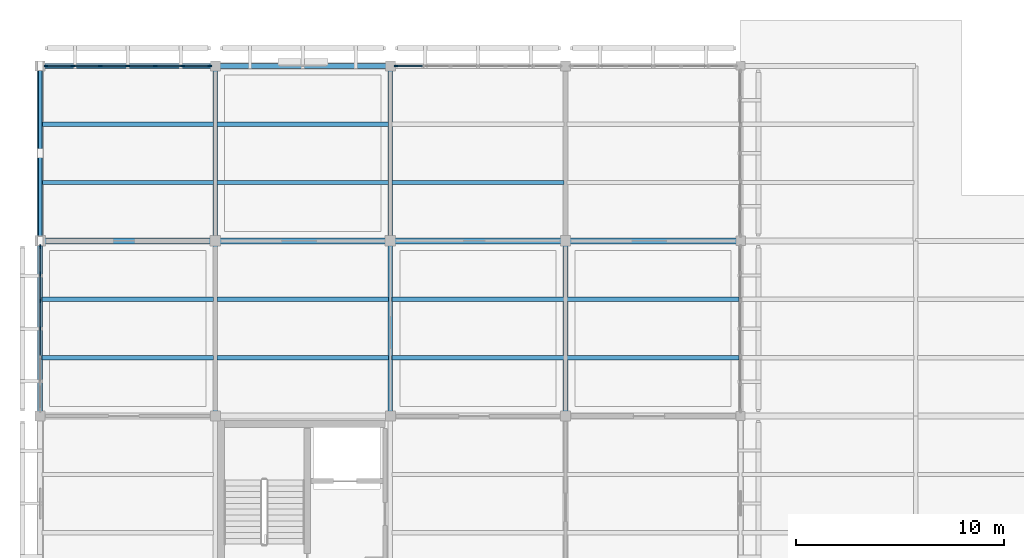
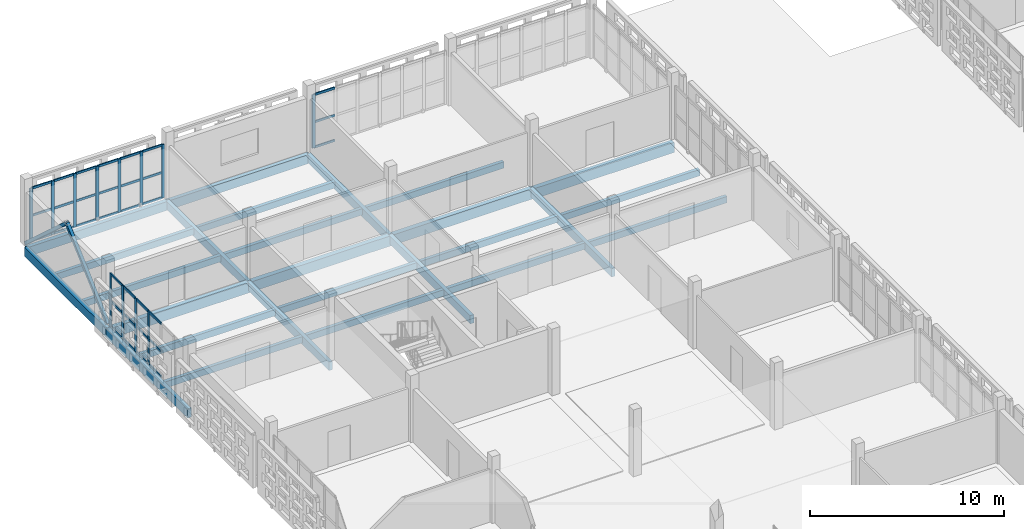
# One storey, part 38 of 166: 47 members, 26 beams, 3 elements without a shape of their own.
"""IFC4 building model written with IfcOpenShell, lengths in metres."""

import ifcopenshell
import ifcopenshell.guid

model = None  # the IFC model being written
_history = None  # IfcOwnerHistory: only IFC2X3 demands one
_inside = {}  # id of a spatial element -> (the spatial element, [elements in it])
_under = {}  # id of a project, library or spatial element -> (it, [spatial elements below it])
_declared = {}  # id of a project -> (the project, [libraries it declares])
_typed = {}  # id of a type object -> (the type object, [elements of that type])
_made_of = {}  # id of a material, layer set ... -> (it, [elements and type objects made of it])


def new_model(schema):
    """Start an empty IFC model of exactly this schema.

    Asked for "IFC4X3", IfcOpenShell would pick the latest addendum, in which some entities
    have other attributes; the version numbers below select the first issue.
    IFC2X3 requires an IfcOwnerHistory on every rooted entity: one is made here for all.
    """
    global model, _history
    if schema == "IFC4X3":
        model = ifcopenshell.file(schema_version=(4, 3, 0, 0))
    else:
        model = ifcopenshell.file(schema=schema)
    _inside.clear()
    _under.clear()
    _declared.clear()
    _typed.clear()
    _made_of.clear()
    _history = None
    if model.schema == "IFC2X3":
        org = make("IfcOrganization", Name="unknown")
        user = make(
            "IfcPersonAndOrganization",
            ThePerson=make("IfcPerson", FamilyName="unknown"),
            TheOrganization=org,
        )
        app = make(
            "IfcApplication",
            ApplicationDeveloper=org,
            Version="unknown",
            ApplicationFullName="unknown",
            ApplicationIdentifier="unknown",
        )
        _history = make(
            "IfcOwnerHistory",
            OwningUser=user,
            OwningApplication=app,
            ChangeAction="ADDED",
            CreationDate=0,
        )
    return model


def make(cls, **values):
    """One entity of the class cls with the attributes given. An attribute that is None is left unset."""
    return model.create_entity(
        cls, **{name: value for name, value in values.items() if value is not None}
    )


def rooted(cls, **values):
    """An entity with a GlobalId (a new one), such as an element, a storey or a relation."""
    return make(cls, GlobalId=ifcopenshell.guid.new(), OwnerHistory=_history, **values)


def si_unit(unit_type, name, prefix=None):
    """IfcSIUnit, for example si_unit("LENGTHUNIT", "METRE", prefix="MILLI")."""
    return make("IfcSIUnit", UnitType=unit_type, Prefix=prefix, Name=name)


def assignment(units):
    """IfcUnitAssignment: the units of a project."""
    return None if units is None else make("IfcUnitAssignment", Units=units)


def point(xyz):
    """IfcCartesianPoint."""
    return None if xyz is None else make("IfcCartesianPoint", Coordinates=xyz)


def direction(xyz):
    """IfcDirection."""
    return None if xyz is None else make("IfcDirection", DirectionRatios=xyz)


def frame(location, z_axis=None, x_axis=None):
    """IfcAxis2Placement3D, a coordinate frame: its origin and axes. An axis left out is left unset."""
    return make(
        "IfcAxis2Placement3D",
        Location=point(location),
        Axis=direction(z_axis),
        RefDirection=direction(x_axis),
    )


def frame_2d(location, x_axis=None):
    """IfcAxis2Placement2D, a coordinate frame in the plane: its origin and x axis."""
    return make(
        "IfcAxis2Placement2D", Location=point(location), RefDirection=direction(x_axis)
    )


def origin():
    """The frame at (0, 0, 0) with its axes left unset."""
    return frame((0.0, 0.0, 0.0))


def origin_2d():
    """The frame at (0, 0) in the plane with its x axis left unset."""
    return frame_2d((0.0, 0.0))


def place(relative_to, where):
    """IfcLocalPlacement: puts the frame where relative to a parent placement (None: the world)."""
    return make(
        "IfcLocalPlacement", PlacementRelTo=relative_to, RelativePlacement=where
    )


def context(
    kind, dimensions, precision=None, world=None, true_north=None, identifier=None
):
    """IfcGeometricRepresentationContext, for example the 3D "Model" context."""
    return make(
        "IfcGeometricRepresentationContext",
        ContextIdentifier=identifier,
        ContextType=kind,
        CoordinateSpaceDimension=dimensions,
        Precision=precision,
        WorldCoordinateSystem=world,
        TrueNorth=true_north,
    )


def subcontext(parent, identifier, kind, view, scale=None):
    """IfcGeometricRepresentationSubContext, for example "Body" below "Model"."""
    return make(
        "IfcGeometricRepresentationSubContext",
        ContextIdentifier=identifier,
        ContextType=kind,
        ParentContext=parent,
        TargetScale=scale,
        TargetView=view,
    )


def project(units=None, contexts=None):
    """IfcProject with its units and contexts."""
    return rooted(
        "IfcProject",
        Name="project",
        RepresentationContexts=contexts,
        UnitsInContext=assignment(units),
    )


def spatial(cls, under=None, at=None, **own):
    """A site, building, storey or space (cls), placed at a placement, below another one or the project."""
    s = rooted(cls, ObjectPlacement=at, **own)
    if under is not None:
        _under.setdefault(under.id(), (under, []))[1].append(s)
    return s


def profile(cls, at=None, kind="AREA", **sizes):
    """A parametric profile (cls). Its sizes go by their IFC names, for example OverallWidth=200.0."""
    return make(cls, ProfileType=kind, Position=at, **sizes)


def rectangle(**sizes):
    """IfcRectangleProfileDef."""
    return profile("IfcRectangleProfileDef", **sizes)


def hollow_rectangle(**sizes):
    """IfcRectangleHollowProfileDef."""
    return profile("IfcRectangleHollowProfileDef", **sizes)


def extrude(swept, where, along, depth):
    """IfcExtrudedAreaSolid: the profile swept, set in the frame where, extruded along a direction by depth."""
    return make(
        "IfcExtrudedAreaSolid",
        SweptArea=swept,
        Position=where,
        ExtrudedDirection=direction(along),
        Depth=depth,
    )


def shape(context_of_items, identifier, shape_type, items):
    """IfcShapeRepresentation: the items that make up one representation, for example the "Body"."""
    return make(
        "IfcShapeRepresentation",
        ContextOfItems=context_of_items,
        RepresentationIdentifier=identifier,
        RepresentationType=shape_type,
        Items=items,
    )


def material(Name=None, Category=None):
    """IfcMaterial."""
    return make("IfcMaterial", Name=Name, Category=Category)


def layer(
    of_material, thickness, ventilated=None, Name=None, Category=None, Priority=None
):
    """IfcMaterialLayer: one layer of a wall or slab, of a material (None: an air gap)."""
    return make(
        "IfcMaterialLayer",
        Material=of_material,
        LayerThickness=thickness,
        IsVentilated=ventilated,
        Name=Name,
        Category=Category,
        Priority=Priority,
    )


def layer_set(layers, Name=None):
    """IfcMaterialLayerSet."""
    return make("IfcMaterialLayerSet", MaterialLayers=layers, LayerSetName=Name)


def material_profile(
    of_material, cross_section, Name=None, Category=None, Priority=None
):
    """IfcMaterialProfile: a cross section and its material."""
    return make(
        "IfcMaterialProfile",
        Name=Name,
        Material=of_material,
        Profile=cross_section,
        Priority=Priority,
        Category=Category,
    )


def profile_set(profiles, Name=None, composite=None):
    """IfcMaterialProfileSet."""
    return make(
        "IfcMaterialProfileSet",
        Name=Name,
        MaterialProfiles=profiles,
        CompositeProfile=composite,
    )


def made_of(thing, what):
    """Note that an element or type object is made of a material, layer set ...; save() writes the relation."""
    if what is not None:
        _made_of.setdefault(what.id(), (what, []))[1].append(thing)
    return thing


def type_object(cls, material=None, **own):
    """A type object (cls), such as IfcWallType, which elements share."""
    return made_of(rooted(cls, **own), material)


def element(
    cls,
    number,
    at=None,
    inside=None,
    cuts=None,
    type_object=None,
    material=None,
    context=None,
    identifier="Body",
    shape_type=None,
    held_by="IfcProductDefinitionShape",
    body=None,
    shapes=None,
    **own,
):
    """One element of the class cls, such as IfcWall. Its Tag is "e" and its number.

    at: its placement. inside: the storey or other place that contains it. cuts: it is an
    opening in that element (IfcRelVoidsElement). A single representation is given by context,
    identifier, shape_type and body (its items); several are given by shapes. held_by: the class
    of the entity that holds the representations. save() writes the other relations.
    """
    e = rooted(cls, Tag="e%d" % number, ObjectPlacement=at, **own)
    if body is not None:
        shapes = [shape(context, identifier, shape_type, body)]
    if shapes is not None:
        e.Representation = make(held_by, Representations=shapes)
    if inside is not None:
        _inside.setdefault(inside.id(), (inside, []))[1].append(e)
    if cuts is not None:
        rooted(
            "IfcRelVoidsElement", RelatingBuildingElement=cuts, RelatedOpeningElement=e
        )
    if type_object is not None:
        _typed.setdefault(type_object.id(), (type_object, []))[1].append(e)
    return made_of(e, material)


def aggregate(whole, parts):
    """IfcRelAggregates: a whole, such as a stair, and the parts it consists of."""
    return rooted("IfcRelAggregates", RelatingObject=whole, RelatedObjects=parts)


def save(model, path):
    """Write the relations noted so far, then the file.

    IfcRelAggregates (storeys below a building ...), IfcRelContainedInSpatialStructure (elements
    in a storey), IfcRelDefinesByType, IfcRelAssociatesMaterial and IfcRelDeclares: one each for
    every whole, place, type object, material and project.
    """
    for whole, parts in _under.values():
        aggregate(whole, parts)
    for where, things in _inside.values():
        rooted(
            "IfcRelContainedInSpatialStructure",
            RelatedElements=things,
            RelatingStructure=where,
        )
    for kind, things in _typed.values():
        rooted("IfcRelDefinesByType", RelatedObjects=things, RelatingType=kind)
    for what, things in _made_of.values():
        rooted("IfcRelAssociatesMaterial", RelatedObjects=things, RelatingMaterial=what)
    for by, libraries in _declared.values():
        rooted("IfcRelDeclares", RelatingContext=by, RelatedDefinitions=libraries)
    model.write(path)


model = new_model("IFC4")

# Units and contexts
model_context = context("Model", 3, precision=1e-05, world=origin(), true_north=direction((0.0, 1.0)))
body_context = subcontext(model_context, "Body", "Model", "MODEL_VIEW")
ifc_project = project(units=[si_unit("LENGTHUNIT", "METRE"), si_unit("AREAUNIT", "SQUARE_METRE"), si_unit("VOLUMEUNIT", "CUBIC_METRE"), si_unit("PLANEANGLEUNIT", "RADIAN"), si_unit("MASSUNIT", "GRAM", prefix="KILO")], contexts=[model_context])

# Site, building, storey
site_placement = place(None, origin())
site = spatial("IfcSite", under=ifc_project, at=site_placement, CompositionType="ELEMENT")
building_placement = place(site_placement, origin())
building = spatial("IfcBuilding", under=site, at=building_placement, Name="Varnapada Polytechnic", CompositionType="ELEMENT")
storey_placement = place(building_placement, frame((0.0, 0.0, 9.60009765625)))
storey = spatial("IfcBuildingStorey", under=building, at=storey_placement, Name="L02", CompositionType="ELEMENT", Elevation=9.60009765625)

# Beams
ifc_material_1 = material(Name="Glulam GL32h", Category="wood")
ifc_material_profile_1 = material_profile(ifc_material_1, rectangle(XDim=0.280029296875, YDim=0.639892578125, at=origin_2d()), Name="GL 280x640")
ifc_profile_set_1 = profile_set([ifc_material_profile_1], Name="Glulam GL32h")
beam_type_1 = type_object("IfcBeamType", Name="Laboratory primary glulam girder GG-02 (GL 280x640)", PredefinedType="BEAM", material=ifc_profile_set_1)
beam_1_placement = place(storey_placement, frame((0.0, 117.60009765625, -0.56005859375), z_axis=(1.0, 0.0, 0.0), x_axis=(0.0, 1.0, 0.0)))
element("IfcBeam", 1, at=beam_1_placement, inside=storey, type_object=beam_type_1, Name="L02 beam X 1-2 at Y15", PredefinedType="BEAM", context=body_context, shape_type="SweptSolid", body=[
    extrude(rectangle(XDim=0.280029296875, YDim=0.639892578125, at=origin_2d()), origin(), (0.0, 0.0, 1.0), 8.39990234375),
])
beam_2_placement = place(storey_placement, frame((8.39990234375, 117.60009765625, -0.56005859375), z_axis=(1.0, 0.0, 0.0), x_axis=(0.0, 1.0, 0.0)))
element("IfcBeam", 2, at=beam_2_placement, inside=storey, type_object=beam_type_1, Name="L02 beam X 2-3 at Y15", PredefinedType="BEAM", context=body_context, shape_type="SweptSolid", body=[
    extrude(rectangle(XDim=0.280029296875, YDim=0.639892578125, at=origin_2d()), origin(), (0.0, 0.0, 1.0), 8.400146484375),
])
beam_3_placement = place(storey_placement, frame((16.800048828125, 117.60009765625, -0.56005859375), z_axis=(1.0, 0.0, 0.0), x_axis=(0.0, 1.0, 0.0)))
element("IfcBeam", 3, at=beam_3_placement, inside=storey, type_object=beam_type_1, Name="L02 beam X 3-4 at Y15", PredefinedType="BEAM", context=body_context, shape_type="SweptSolid", body=[
    extrude(rectangle(XDim=0.280029296875, YDim=0.639892578125, at=origin_2d()), origin(), (0.0, 0.0, 1.0), 8.39990234375),
])
beam_4_placement = place(storey_placement, frame((25.199951171875, 117.60009765625, -0.590087890625), z_axis=(1.0, 0.0, 0.0), x_axis=(0.0, 1.0, 0.0)))
element("IfcBeam", 4, at=beam_4_placement, inside=storey, type_object=beam_type_1, Name="L02 beam X 4-5 at Y15", PredefinedType="BEAM", context=body_context, shape_type="SweptSolid", body=[
    extrude(rectangle(XDim=0.280029296875, YDim=0.639892578125, at=origin_2d()), origin(), (0.0, 0.0, 1.0), 8.400146484375),
])
ifc_material_profile_2 = material_profile(ifc_material_1, rectangle(XDim=0.219970703125, YDim=0.52001953125, at=origin_2d()), Name="GL 220x520")
ifc_profile_set_2 = profile_set([ifc_material_profile_2], Name="Glulam GL32h")
beam_type_2 = type_object("IfcBeamType", Name="Laboratory transverse glulam beam GB-12 (GL 220x520)", PredefinedType="BEAM", material=ifc_profile_set_2)
beam_5_placement = place(storey_placement, frame((8.39990234375, 109.199951171875, -0.5), z_axis=(0.0, 1.0, 0.0), x_axis=(-1.0, 0.0, 0.0)))
element("IfcBeam", 5, at=beam_5_placement, inside=storey, type_object=beam_type_2, Name="L02 beam Y 14-15 at X2", PredefinedType="BEAM", context=body_context, shape_type="SweptSolid", body=[
    extrude(rectangle(XDim=0.219970703125, YDim=0.52001953125, at=origin_2d()), origin(), (0.0, 0.0, 1.0), 8.400146484375),
])
beam_6_placement = place(storey_placement, frame((8.39990234375, 117.60009765625, -0.5), z_axis=(0.0, 1.0, 0.0), x_axis=(-1.0, 0.0, 0.0)))
element("IfcBeam", 6, at=beam_6_placement, inside=storey, type_object=beam_type_2, Name="L02 beam Y 15-16 at X2", PredefinedType="BEAM", context=body_context, shape_type="SweptSolid", body=[
    extrude(rectangle(XDim=0.219970703125, YDim=0.52001953125, at=origin_2d()), origin(), (0.0, 0.0, 1.0), 8.39990234375),
])
beam_7_placement = place(storey_placement, frame((16.800048828125, 109.199951171875, -0.5), z_axis=(0.0, 1.0, 0.0), x_axis=(-1.0, 0.0, 0.0)))
element("IfcBeam", 7, at=beam_7_placement, inside=storey, type_object=beam_type_2, Name="L02 beam Y 14-15 at X3", PredefinedType="BEAM", context=body_context, shape_type="SweptSolid", body=[
    extrude(rectangle(XDim=0.219970703125, YDim=0.52001953125, at=origin_2d()), origin(), (0.0, 0.0, 1.0), 8.400146484375),
])
beam_8_placement = place(storey_placement, frame((16.800048828125, 117.60009765625, -0.5), z_axis=(0.0, 1.0, 0.0), x_axis=(-1.0, 0.0, 0.0)))
element("IfcBeam", 8, at=beam_8_placement, inside=storey, type_object=beam_type_2, Name="L02 beam Y 15-16 at X3", PredefinedType="BEAM", context=body_context, shape_type="SweptSolid", body=[
    extrude(rectangle(XDim=0.219970703125, YDim=0.52001953125, at=origin_2d()), origin(), (0.0, 0.0, 1.0), 8.39990234375),
])
beam_9_placement = place(storey_placement, frame((25.199951171875, 109.199951171875, -0.5), z_axis=(0.0, 1.0, 0.0), x_axis=(-1.0, 0.0, 0.0)))
element("IfcBeam", 9, at=beam_9_placement, inside=storey, type_object=beam_type_2, Name="L02 beam Y 14-15 at X4", PredefinedType="BEAM", context=body_context, shape_type="SweptSolid", body=[
    extrude(rectangle(XDim=0.219970703125, YDim=0.52001953125, at=origin_2d()), origin(), (0.0, 0.0, 1.0), 8.400146484375),
])
ifc_material_profile_3 = material_profile(ifc_material_1, rectangle(XDim=0.199951171875, YDim=0.39990234375, at=origin_2d()), Name="GL 200x400")
ifc_profile_set_3 = profile_set([ifc_material_profile_3], Name="Glulam GL32h")
beam_type_3 = type_object("IfcBeamType", Name="Library/laboratory glulam floor joist GJ-01 (GL 200x400)", PredefinedType="JOIST", material=ifc_profile_set_3)
for number, where, z_axis, x_axis, name in (
    (10, (0.080078125, 112.0, -0.440185546875), (1.0, 0.0, 0.0), (0.0, 1.0, 0.0), "L02 floor joist 1/14.1"),
    (11, (0.080078125, 114.800048828125, -0.440185546875), (1.0, 0.0, 0.0), (0.0, 1.0, 0.0), "L02 floor joist 1/14.2"),
    (12, (0.080078125, 120.39990234375, -0.440185546875), (1.0, 0.0, 0.0), (0.0, 1.0, 0.0), "L02 floor joist 1/15.1"),
    (13, (0.080078125, 123.199951171875, -0.440185546875), (1.0, 0.0, 0.0), (0.0, 1.0, 0.0), "L02 floor joist 1/15.2"),
    (14, (8.47998046875, 112.0, -0.440185546875), (1.0, 0.0, 0.0), (0.0, 1.0, 0.0), "L02 floor joist 2/14.1"),
    (15, (8.47998046875, 114.800048828125, -0.440185546875), (1.0, 0.0, 0.0), (0.0, 1.0, 0.0), "L02 floor joist 2/14.2"),
    (16, (8.47998046875, 120.39990234375, -0.440185546875), (1.0, 0.0, 0.0), (0.0, 1.0, 0.0), "L02 floor joist 2/15.1"),
    (17, (8.47998046875, 123.199951171875, -0.440185546875), (1.0, 0.0, 0.0), (0.0, 1.0, 0.0), "L02 floor joist 2/15.2"),
):
    element("IfcBeam", number, at=place(storey_placement, frame(where, z_axis=z_axis, x_axis=x_axis)), inside=storey, type_object=beam_type_3, Name=name, PredefinedType="JOIST", context=body_context, shape_type="SweptSolid", body=[
        extrude(rectangle(XDim=0.199951171875, YDim=0.39990234375, at=origin_2d()), origin(), (0.0, 0.0, 1.0), 8.239990234375),
    ])
for number, where, z_axis, x_axis, name in (
    (18, (16.8798828125, 112.0, -0.440185546875), (1.0, 0.0, 0.0), (0.0, 1.0, 0.0), "L02 floor joist 3/14.1"),
    (19, (16.8798828125, 114.800048828125, -0.440185546875), (1.0, 0.0, 0.0), (0.0, 1.0, 0.0), "L02 floor joist 3/14.2"),
    (20, (16.8798828125, 120.39990234375, -0.440185546875), (1.0, 0.0, 0.0), (0.0, 1.0, 0.0), "L02 floor joist 3/15.1"),
):
    element("IfcBeam", number, at=place(storey_placement, frame(where, z_axis=z_axis, x_axis=x_axis)), inside=storey, type_object=beam_type_3, Name=name, PredefinedType="JOIST", context=body_context, shape_type="SweptSolid", body=[
        extrude(rectangle(XDim=0.199951171875, YDim=0.39990234375, at=origin_2d()), origin(), (0.0, 0.0, 1.0), 8.240234375),
    ])
for number, where, z_axis, x_axis, name in (
    (21, (25.280029296875, 112.0, -0.47021484375), (1.0, 0.0, 0.0), (0.0, 1.0, 0.0), "L02 floor joist 4/14.1"),
    (22, (25.280029296875, 114.800048828125, -0.47021484375), (1.0, 0.0, 0.0), (0.0, 1.0, 0.0), "L02 floor joist 4/14.2"),
):
    element("IfcBeam", number, at=place(storey_placement, frame(where, z_axis=z_axis, x_axis=x_axis)), inside=storey, type_object=beam_type_3, Name=name, PredefinedType="JOIST", context=body_context, shape_type="SweptSolid", body=[
        extrude(rectangle(XDim=0.199951171875, YDim=0.39990234375, at=origin_2d()), origin(), (0.0, 0.0, 1.0), 8.239990234375),
    ])

# Curtain wall, members
ifc_material_2 = material(Name="Double low-E laminated glass", Category="glass")
ifc_layer = layer(ifc_material_2, 0.179931640625)
ifc_layer_set = layer_set([ifc_layer], Name="Double low-E laminated glass")
curtain_wall_type = type_object("IfcCurtainWallType", Name="Curtain Wall CW-03", PredefinedType="NOTDEFINED", material=ifc_layer_set)
curtain_wall_1_placement = place(storey_placement, origin())
curtain_wall_1 = element("IfcCurtainWall", 23, at=curtain_wall_1_placement, inside=storey, type_object=curtain_wall_type, Name="L02 unitised curtain wall CW-03 (134)", PredefinedType="NOTDEFINED")
ifc_material_3 = material(Name="Anodised aluminium", Category="aluminium")
ifc_material_profile_4 = material_profile(ifc_material_3, rectangle(XDim=0.06494140625, YDim=0.179931640625, at=origin_2d()), Name="ALU M65x180")
ifc_profile_set_4 = profile_set([ifc_material_profile_4], Name="Anodised aluminium")
member_type_1 = type_object("IfcMemberType", Name="Mullion M-02", PredefinedType="MULLION", material=ifc_profile_set_4)
member_1_placement = place(storey_placement, frame((0.0, 113.39501953125, 0.0), z_axis=(0.0, 0.0, 1.0), x_axis=(-1.0, 0.0, 0.0)))
member_1 = element("IfcMember", 24, at=member_1_placement, type_object=member_type_1, Name="CW-03 mullion 4", PredefinedType="MULLION", context=body_context, shape_type="SweptSolid", body=[
    extrude(rectangle(XDim=0.06494140625, YDim=0.179931640625, at=origin_2d()), origin(), (0.0, 0.0, 1.0), 3.35986328125),
])
member_2_placement = place(storey_placement, frame((0.0, 114.71337890625, 0.0), z_axis=(0.0, 0.0, 1.0), x_axis=(-1.0, 0.0, 0.0)))
member_2 = element("IfcMember", 25, at=member_2_placement, type_object=member_type_1, Name="CW-03 mullion 5", PredefinedType="MULLION", context=body_context, shape_type="SweptSolid", body=[
    extrude(rectangle(XDim=0.06494140625, YDim=0.179931640625, at=origin_2d()), origin(), (0.0, 0.0, 1.0), 3.35986328125),
])
member_3_placement = place(storey_placement, frame((0.0, 116.03173828125, 0.0), z_axis=(0.0, 0.0, 1.0), x_axis=(-1.0, 0.0, 0.0)))
member_3 = element("IfcMember", 26, at=member_3_placement, type_object=member_type_1, Name="CW-03 mullion 6", PredefinedType="MULLION", context=body_context, shape_type="SweptSolid", body=[
    extrude(rectangle(XDim=0.06494140625, YDim=0.179931640625, at=origin_2d()), origin(), (0.0, 0.0, 1.0), 3.35986328125),
])
member_4_placement = place(storey_placement, frame((0.0, 117.3173828125, 0.0), z_axis=(0.0, 0.0, 1.0), x_axis=(-1.0, 0.0, 0.0)))
member_4 = element("IfcMember", 27, at=member_4_placement, type_object=member_type_1, Name="CW-03 mullion 7", PredefinedType="MULLION", context=body_context, shape_type="SweptSolid", body=[
    extrude(rectangle(XDim=0.06494140625, YDim=0.179931640625, at=origin_2d()), origin(), (0.0, 0.0, 1.0), 3.35986328125),
])

curtain_wall_2_placement = place(storey_placement, origin())
curtain_wall_2 = element("IfcCurtainWall", 28, at=curtain_wall_2_placement, inside=storey, type_object=curtain_wall_type, Name="L02 unitised curtain wall CW-03 (135)", PredefinedType="NOTDEFINED")
member_5_placement = place(storey_placement, frame((0.2724609375, 126.0, 0.0), z_axis=(0.0, 0.0, 1.0), x_axis=(0.0, 1.0, 0.0)))
member_5 = element("IfcMember", 29, at=member_5_placement, type_object=member_type_1, Name="CW-03 mullion 1", PredefinedType="MULLION", context=body_context, shape_type="SweptSolid", body=[
    extrude(rectangle(XDim=0.06494140625, YDim=0.179931640625, at=origin_2d()), origin(), (0.0, 0.0, 1.0), 3.35986328125),
])
member_6_placement = place(storey_placement, frame((1.56005859375, 126.0, 0.0), z_axis=(0.0, 0.0, 1.0), x_axis=(0.0, 1.0, 0.0)))
member_6 = element("IfcMember", 30, at=member_6_placement, type_object=member_type_1, Name="CW-03 mullion 2", PredefinedType="MULLION", context=body_context, shape_type="SweptSolid", body=[
    extrude(rectangle(XDim=0.06494140625, YDim=0.179931640625, at=origin_2d()), origin(), (0.0, 0.0, 1.0), 3.35986328125),
])
member_7_placement = place(storey_placement, frame((2.8798828125, 126.0, 0.0), z_axis=(0.0, 0.0, 1.0), x_axis=(0.0, 1.0, 0.0)))
member_7 = element("IfcMember", 31, at=member_7_placement, type_object=member_type_1, Name="CW-03 mullion 3", PredefinedType="MULLION", context=body_context, shape_type="SweptSolid", body=[
    extrude(rectangle(XDim=0.06494140625, YDim=0.179931640625, at=origin_2d()), origin(), (0.0, 0.0, 1.0), 3.35986328125),
])
member_8_placement = place(storey_placement, frame((4.199951171875, 126.0, 0.0), z_axis=(0.0, 0.0, 1.0), x_axis=(0.0, 1.0, 0.0)))
member_8 = element("IfcMember", 32, at=member_8_placement, type_object=member_type_1, Name="CW-03 mullion 4", PredefinedType="MULLION", context=body_context, shape_type="SweptSolid", body=[
    extrude(rectangle(XDim=0.06494140625, YDim=0.179931640625, at=origin_2d()), origin(), (0.0, 0.0, 1.0), 3.35986328125),
])
member_9_placement = place(storey_placement, frame((5.52001953125, 126.0, 0.0), z_axis=(0.0, 0.0, 1.0), x_axis=(0.0, 1.0, 0.0)))
member_9 = element("IfcMember", 33, at=member_9_placement, type_object=member_type_1, Name="CW-03 mullion 5", PredefinedType="MULLION", context=body_context, shape_type="SweptSolid", body=[
    extrude(rectangle(XDim=0.06494140625, YDim=0.179931640625, at=origin_2d()), origin(), (0.0, 0.0, 1.0), 3.35986328125),
])
member_10_placement = place(storey_placement, frame((6.840087890625, 126.0, 0.0), z_axis=(0.0, 0.0, 1.0), x_axis=(0.0, 1.0, 0.0)))
member_10 = element("IfcMember", 34, at=member_10_placement, type_object=member_type_1, Name="CW-03 mullion 6", PredefinedType="MULLION", context=body_context, shape_type="SweptSolid", body=[
    extrude(rectangle(XDim=0.06494140625, YDim=0.179931640625, at=origin_2d()), origin(), (0.0, 0.0, 1.0), 3.35986328125),
])
member_11_placement = place(storey_placement, frame((8.12744140625, 126.0, 0.0), z_axis=(0.0, 0.0, 1.0), x_axis=(0.0, 1.0, 0.0)))
member_11 = element("IfcMember", 35, at=member_11_placement, type_object=member_type_1, Name="CW-03 mullion 7", PredefinedType="MULLION", context=body_context, shape_type="SweptSolid", body=[
    extrude(rectangle(XDim=0.06494140625, YDim=0.179931640625, at=origin_2d()), origin(), (0.0, 0.0, 1.0), 3.35986328125),
])

# Curtain wall, member
curtain_wall_3_placement = place(storey_placement, origin())
curtain_wall_3 = element("IfcCurtainWall", 36, at=curtain_wall_3_placement, inside=storey, type_object=curtain_wall_type, Name="L02 unitised curtain wall CW-03 (142)", PredefinedType="NOTDEFINED")
member_12_placement = place(storey_placement, frame((17.072509765625, 126.0, 0.0), z_axis=(0.0, 0.0, 1.0), x_axis=(0.0, 1.0, 0.0)))
member_12 = element("IfcMember", 37, at=member_12_placement, type_object=member_type_1, Name="CW-03 mullion 1", PredefinedType="MULLION", context=body_context, shape_type="SweptSolid", body=[
    extrude(rectangle(XDim=0.06494140625, YDim=0.179931640625, at=origin_2d()), origin(), (0.0, 0.0, 1.0), 3.35986328125),
])

# Beams
ifc_material_profile_5 = material_profile(ifc_material_1, rectangle(XDim=0.239990234375, YDim=0.56005859375, at=origin_2d()), Name="GL 240x560")
ifc_profile_set_5 = profile_set([ifc_material_profile_5], Name="Glulam GL32h")
beam_type_4 = type_object("IfcBeamType", Name="Perimeter glulam spandrel beam SP-02 (GL 240x560)", PredefinedType="SPANDREL", material=ifc_profile_set_5)
beam_10_placement = place(storey_placement, frame((0.0, 126.0, -0.52001953125), z_axis=(1.0, 0.0, 0.0), x_axis=(0.0, 1.0, 0.0)))
element("IfcBeam", 38, at=beam_10_placement, inside=storey, type_object=beam_type_4, Name="L02 beam X 1-2 at Y16", PredefinedType="SPANDREL", context=body_context, shape_type="SweptSolid", body=[
    extrude(rectangle(XDim=0.239990234375, YDim=0.56005859375, at=origin_2d()), origin(), (0.0, 0.0, 1.0), 8.39990234375),
])
for number, where, z_axis, x_axis, name in (
    (39, (8.39990234375, 126.0, -0.52001953125), (1.0, 0.0, 0.0), (0.0, 1.0, 0.0), "L02 beam X 2-3 at Y16"),
    (40, (0.0, 109.199951171875, -0.52001953125), (0.0, 1.0, 0.0), (-1.0, 0.0, 0.0), "L02 beam Y 14-15 at X1"),
):
    element("IfcBeam", number, at=place(storey_placement, frame(where, z_axis=z_axis, x_axis=x_axis)), inside=storey, type_object=beam_type_4, Name=name, PredefinedType="SPANDREL", context=body_context, shape_type="SweptSolid", body=[
        extrude(rectangle(XDim=0.239990234375, YDim=0.56005859375, at=origin_2d()), origin(), (0.0, 0.0, 1.0), 8.400146484375),
    ])
beam_11_placement = place(storey_placement, frame((0.0, 117.60009765625, -0.52001953125), z_axis=(0.0, 1.0, 0.0), x_axis=(-1.0, 0.0, 0.0)))
element("IfcBeam", 41, at=beam_11_placement, inside=storey, type_object=beam_type_4, Name="L02 beam Y 15-16 at X1", PredefinedType="SPANDREL", context=body_context, shape_type="SweptSolid", body=[
    extrude(rectangle(XDim=0.239990234375, YDim=0.56005859375, at=origin_2d()), origin(), (0.0, 0.0, 1.0), 8.39990234375),
])

# Members
ifc_material_4 = material(Name="Steel S355", Category="steel")
ifc_material_profile_6 = material_profile(ifc_material_4, hollow_rectangle(XDim=0.199951171875, YDim=0.199951171875, WallThickness=0.008056640625, InnerFilletRadius=0.008056640625, OuterFilletRadius=0.01611328125, at=origin_2d()), Name="SHS 200x200x8")
ifc_profile_set_6 = profile_set([ifc_material_profile_6], Name="Steel S355")
member_type_2 = type_object("IfcMemberType", Name="Podium lateral chevron brace BR-02 (SHS 200x200x8)", PredefinedType="BRACE", material=ifc_profile_set_6)
for number, where, z_axis, x_axis, name in (
    (42, (0.0, 117.60009765625, 0.0), (0.0, 0.741549054705, 0.670898650667), (-1.0, 0.0, 0.0), "L02 lateral chevron brace 9A"),
    (43, (0.0, 126.0, 0.0), (0.0, -0.741549054705, 0.670898650667), (1.0, 0.0, 0.0), "L02 lateral chevron brace 9B"),
):
    element("IfcMember", number, at=place(storey_placement, frame(where, z_axis=z_axis, x_axis=x_axis)), inside=storey, type_object=member_type_2, Name=name, PredefinedType="BRACE", context=body_context, shape_type="SweptSolid", body=[
        extrude(hollow_rectangle(XDim=0.199951171875, YDim=0.199951171875, WallThickness=0.008056640625, InnerFilletRadius=0.008056640625, OuterFilletRadius=0.01611328125, at=origin_2d()), origin(), (0.0, 0.0, 1.0), 5.663818359375),
    ])

# Member
ifc_material_profile_7 = material_profile(ifc_material_3, rectangle(XDim=0.06494140625, YDim=0.139892578125, at=origin_2d()), Name="ALU T65x140")
ifc_profile_set_7 = profile_set([ifc_material_profile_7], Name="Anodised aluminium")
member_type_3 = type_object("IfcMemberType", Name="Transom T-02", PredefinedType="USERDEFINED", material=ifc_profile_set_7)
member_13_placement = place(storey_placement, frame((0.0, 112.109130859375, 0.032470703125), z_axis=(0.0, 1.0, 0.0), x_axis=(-1.0, 0.0, 0.0)))
member_13 = element("IfcMember", 44, at=member_13_placement, type_object=member_type_3, Name="CW-03 transom 3.1", ObjectType="TRANSOM", PredefinedType="USERDEFINED", context=body_context, shape_type="SweptSolid", body=[
    extrude(rectangle(XDim=0.06494140625, YDim=0.139892578125, at=origin_2d()), origin(), (0.0, 0.0, 1.0), 1.25341796875),
])

member_14_placement = place(storey_placement, frame((0.0, 112.109130859375, 1.61279296875), z_axis=(0.0, 1.0, 0.0), x_axis=(-1.0, 0.0, 0.0)))
member_14 = element("IfcMember", 45, at=member_14_placement, type_object=member_type_3, Name="CW-03 transom 3.2", ObjectType="TRANSOM", PredefinedType="USERDEFINED", context=body_context, shape_type="SweptSolid", body=[
    extrude(rectangle(XDim=0.06494140625, YDim=0.139892578125, at=origin_2d()), origin(), (0.0, 0.0, 1.0), 1.25341796875),
])

member_15_placement = place(storey_placement, frame((0.0, 112.109130859375, 3.327392578125), z_axis=(0.0, 1.0, 0.0), x_axis=(-1.0, 0.0, 0.0)))
member_15 = element("IfcMember", 46, at=member_15_placement, type_object=member_type_3, Name="CW-03 transom 3.3", ObjectType="TRANSOM", PredefinedType="USERDEFINED", context=body_context, shape_type="SweptSolid", body=[
    extrude(rectangle(XDim=0.06494140625, YDim=0.139892578125, at=origin_2d()), origin(), (0.0, 0.0, 1.0), 1.25341796875),
])

member_16_placement = place(storey_placement, frame((0.0, 113.427490234375, 0.032470703125), z_axis=(0.0, 1.0, 0.0), x_axis=(-1.0, 0.0, 0.0)))
member_16 = element("IfcMember", 47, at=member_16_placement, type_object=member_type_3, Name="CW-03 transom 4.1", ObjectType="TRANSOM", PredefinedType="USERDEFINED", context=body_context, shape_type="SweptSolid", body=[
    extrude(rectangle(XDim=0.06494140625, YDim=0.139892578125, at=origin_2d()), origin(), (0.0, 0.0, 1.0), 1.25341796875),
])

member_17_placement = place(storey_placement, frame((0.0, 113.427490234375, 1.61279296875), z_axis=(0.0, 1.0, 0.0), x_axis=(-1.0, 0.0, 0.0)))
member_17 = element("IfcMember", 48, at=member_17_placement, type_object=member_type_3, Name="CW-03 transom 4.2", ObjectType="TRANSOM", PredefinedType="USERDEFINED", context=body_context, shape_type="SweptSolid", body=[
    extrude(rectangle(XDim=0.06494140625, YDim=0.139892578125, at=origin_2d()), origin(), (0.0, 0.0, 1.0), 1.25341796875),
])

member_18_placement = place(storey_placement, frame((0.0, 113.427490234375, 3.327392578125), z_axis=(0.0, 1.0, 0.0), x_axis=(-1.0, 0.0, 0.0)))
member_18 = element("IfcMember", 49, at=member_18_placement, type_object=member_type_3, Name="CW-03 transom 4.3", ObjectType="TRANSOM", PredefinedType="USERDEFINED", context=body_context, shape_type="SweptSolid", body=[
    extrude(rectangle(XDim=0.06494140625, YDim=0.139892578125, at=origin_2d()), origin(), (0.0, 0.0, 1.0), 1.25341796875),
])

member_19_placement = place(storey_placement, frame((0.0, 114.745849609375, 0.032470703125), z_axis=(0.0, 1.0, 0.0), x_axis=(-1.0, 0.0, 0.0)))
member_19 = element("IfcMember", 50, at=member_19_placement, type_object=member_type_3, Name="CW-03 transom 5.1", ObjectType="TRANSOM", PredefinedType="USERDEFINED", context=body_context, shape_type="SweptSolid", body=[
    extrude(rectangle(XDim=0.06494140625, YDim=0.139892578125, at=origin_2d()), origin(), (0.0, 0.0, 1.0), 1.25341796875),
])

member_20_placement = place(storey_placement, frame((0.0, 114.745849609375, 1.61279296875), z_axis=(0.0, 1.0, 0.0), x_axis=(-1.0, 0.0, 0.0)))
member_20 = element("IfcMember", 51, at=member_20_placement, type_object=member_type_3, Name="CW-03 transom 5.2", ObjectType="TRANSOM", PredefinedType="USERDEFINED", context=body_context, shape_type="SweptSolid", body=[
    extrude(rectangle(XDim=0.06494140625, YDim=0.139892578125, at=origin_2d()), origin(), (0.0, 0.0, 1.0), 1.25341796875),
])

member_21_placement = place(storey_placement, frame((0.0, 114.745849609375, 3.327392578125), z_axis=(0.0, 1.0, 0.0), x_axis=(-1.0, 0.0, 0.0)))
member_21 = element("IfcMember", 52, at=member_21_placement, type_object=member_type_3, Name="CW-03 transom 5.3", ObjectType="TRANSOM", PredefinedType="USERDEFINED", context=body_context, shape_type="SweptSolid", body=[
    extrude(rectangle(XDim=0.06494140625, YDim=0.139892578125, at=origin_2d()), origin(), (0.0, 0.0, 1.0), 1.25341796875),
])

member_22_placement = place(storey_placement, frame((0.0, 116.064208984375, 0.032470703125), z_axis=(0.0, 1.0, 0.0), x_axis=(-1.0, 0.0, 0.0)))
member_22 = element("IfcMember", 53, at=member_22_placement, type_object=member_type_3, Name="CW-03 transom 6.1", ObjectType="TRANSOM", PredefinedType="USERDEFINED", context=body_context, shape_type="SweptSolid", body=[
    extrude(rectangle(XDim=0.06494140625, YDim=0.139892578125, at=origin_2d()), origin(), (0.0, 0.0, 1.0), 1.220703125),
])

member_23_placement = place(storey_placement, frame((0.0, 116.064208984375, 1.61279296875), z_axis=(0.0, 1.0, 0.0), x_axis=(-1.0, 0.0, 0.0)))
member_23 = element("IfcMember", 54, at=member_23_placement, type_object=member_type_3, Name="CW-03 transom 6.2", ObjectType="TRANSOM", PredefinedType="USERDEFINED", context=body_context, shape_type="SweptSolid", body=[
    extrude(rectangle(XDim=0.06494140625, YDim=0.139892578125, at=origin_2d()), origin(), (0.0, 0.0, 1.0), 1.220703125),
])

member_24_placement = place(storey_placement, frame((0.0, 116.064208984375, 3.327392578125), z_axis=(0.0, 1.0, 0.0), x_axis=(-1.0, 0.0, 0.0)))
member_24 = element("IfcMember", 55, at=member_24_placement, type_object=member_type_3, Name="CW-03 transom 6.3", ObjectType="TRANSOM", PredefinedType="USERDEFINED", context=body_context, shape_type="SweptSolid", body=[
    extrude(rectangle(XDim=0.06494140625, YDim=0.139892578125, at=origin_2d()), origin(), (0.0, 0.0, 1.0), 1.220703125),
])

aggregate(curtain_wall_1, [member_1, member_2, member_3, member_4, member_13, member_14, member_15, member_16, member_17, member_18, member_19, member_20, member_21, member_22, member_23, member_24])

member_25_placement = place(storey_placement, frame((0.304931640625, 126.0, 0.032470703125), z_axis=(1.0, 0.0, 0.0), x_axis=(0.0, 1.0, 0.0)))
member_25 = element("IfcMember", 56, at=member_25_placement, type_object=member_type_3, Name="CW-03 transom 1.1", ObjectType="TRANSOM", PredefinedType="USERDEFINED", context=body_context, shape_type="SweptSolid", body=[
    extrude(rectangle(XDim=0.06494140625, YDim=0.139892578125, at=origin_2d()), origin(), (0.0, 0.0, 1.0), 1.22265625),
])

member_26_placement = place(storey_placement, frame((0.304931640625, 126.0, 1.61279296875), z_axis=(1.0, 0.0, 0.0), x_axis=(0.0, 1.0, 0.0)))
member_26 = element("IfcMember", 57, at=member_26_placement, type_object=member_type_3, Name="CW-03 transom 1.2", ObjectType="TRANSOM", PredefinedType="USERDEFINED", context=body_context, shape_type="SweptSolid", body=[
    extrude(rectangle(XDim=0.06494140625, YDim=0.139892578125, at=origin_2d()), origin(), (0.0, 0.0, 1.0), 1.22265625),
])

member_27_placement = place(storey_placement, frame((0.304931640625, 126.0, 3.327392578125), z_axis=(1.0, 0.0, 0.0), x_axis=(0.0, 1.0, 0.0)))
member_27 = element("IfcMember", 58, at=member_27_placement, type_object=member_type_3, Name="CW-03 transom 1.3", ObjectType="TRANSOM", PredefinedType="USERDEFINED", context=body_context, shape_type="SweptSolid", body=[
    extrude(rectangle(XDim=0.06494140625, YDim=0.139892578125, at=origin_2d()), origin(), (0.0, 0.0, 1.0), 1.22265625),
])

member_28_placement = place(storey_placement, frame((1.592529296875, 126.0, 0.032470703125), z_axis=(1.0, 0.0, 0.0), x_axis=(0.0, 1.0, 0.0)))
member_28 = element("IfcMember", 59, at=member_28_placement, type_object=member_type_3, Name="CW-03 transom 2.1", ObjectType="TRANSOM", PredefinedType="USERDEFINED", context=body_context, shape_type="SweptSolid", body=[
    extrude(rectangle(XDim=0.06494140625, YDim=0.139892578125, at=origin_2d()), origin(), (0.0, 0.0, 1.0), 1.2548828125),
])

member_29_placement = place(storey_placement, frame((1.592529296875, 126.0, 1.61279296875), z_axis=(1.0, 0.0, 0.0), x_axis=(0.0, 1.0, 0.0)))
member_29 = element("IfcMember", 60, at=member_29_placement, type_object=member_type_3, Name="CW-03 transom 2.2", ObjectType="TRANSOM", PredefinedType="USERDEFINED", context=body_context, shape_type="SweptSolid", body=[
    extrude(rectangle(XDim=0.06494140625, YDim=0.139892578125, at=origin_2d()), origin(), (0.0, 0.0, 1.0), 1.2548828125),
])

member_30_placement = place(storey_placement, frame((1.592529296875, 126.0, 3.327392578125), z_axis=(1.0, 0.0, 0.0), x_axis=(0.0, 1.0, 0.0)))
member_30 = element("IfcMember", 61, at=member_30_placement, type_object=member_type_3, Name="CW-03 transom 2.3", ObjectType="TRANSOM", PredefinedType="USERDEFINED", context=body_context, shape_type="SweptSolid", body=[
    extrude(rectangle(XDim=0.06494140625, YDim=0.139892578125, at=origin_2d()), origin(), (0.0, 0.0, 1.0), 1.2548828125),
])

member_31_placement = place(storey_placement, frame((2.91259765625, 126.0, 0.032470703125), z_axis=(1.0, 0.0, 0.0), x_axis=(0.0, 1.0, 0.0)))
member_31 = element("IfcMember", 62, at=member_31_placement, type_object=member_type_3, Name="CW-03 transom 3.1", ObjectType="TRANSOM", PredefinedType="USERDEFINED", context=body_context, shape_type="SweptSolid", body=[
    extrude(rectangle(XDim=0.06494140625, YDim=0.139892578125, at=origin_2d()), origin(), (0.0, 0.0, 1.0), 1.2548828125),
])

member_32_placement = place(storey_placement, frame((2.91259765625, 126.0, 1.61279296875), z_axis=(1.0, 0.0, 0.0), x_axis=(0.0, 1.0, 0.0)))
member_32 = element("IfcMember", 63, at=member_32_placement, type_object=member_type_3, Name="CW-03 transom 3.2", ObjectType="TRANSOM", PredefinedType="USERDEFINED", context=body_context, shape_type="SweptSolid", body=[
    extrude(rectangle(XDim=0.06494140625, YDim=0.139892578125, at=origin_2d()), origin(), (0.0, 0.0, 1.0), 1.2548828125),
])

member_33_placement = place(storey_placement, frame((2.91259765625, 126.0, 3.327392578125), z_axis=(1.0, 0.0, 0.0), x_axis=(0.0, 1.0, 0.0)))
member_33 = element("IfcMember", 64, at=member_33_placement, type_object=member_type_3, Name="CW-03 transom 3.3", ObjectType="TRANSOM", PredefinedType="USERDEFINED", context=body_context, shape_type="SweptSolid", body=[
    extrude(rectangle(XDim=0.06494140625, YDim=0.139892578125, at=origin_2d()), origin(), (0.0, 0.0, 1.0), 1.2548828125),
])

member_34_placement = place(storey_placement, frame((4.232421875, 126.0, 0.032470703125), z_axis=(1.0, 0.0, 0.0), x_axis=(0.0, 1.0, 0.0)))
member_34 = element("IfcMember", 65, at=member_34_placement, type_object=member_type_3, Name="CW-03 transom 4.1", ObjectType="TRANSOM", PredefinedType="USERDEFINED", context=body_context, shape_type="SweptSolid", body=[
    extrude(rectangle(XDim=0.06494140625, YDim=0.139892578125, at=origin_2d()), origin(), (0.0, 0.0, 1.0), 1.255126953125),
])

member_35_placement = place(storey_placement, frame((4.232421875, 126.0, 1.61279296875), z_axis=(1.0, 0.0, 0.0), x_axis=(0.0, 1.0, 0.0)))
member_35 = element("IfcMember", 66, at=member_35_placement, type_object=member_type_3, Name="CW-03 transom 4.2", ObjectType="TRANSOM", PredefinedType="USERDEFINED", context=body_context, shape_type="SweptSolid", body=[
    extrude(rectangle(XDim=0.06494140625, YDim=0.139892578125, at=origin_2d()), origin(), (0.0, 0.0, 1.0), 1.255126953125),
])

member_36_placement = place(storey_placement, frame((4.232421875, 126.0, 3.327392578125), z_axis=(1.0, 0.0, 0.0), x_axis=(0.0, 1.0, 0.0)))
member_36 = element("IfcMember", 67, at=member_36_placement, type_object=member_type_3, Name="CW-03 transom 4.3", ObjectType="TRANSOM", PredefinedType="USERDEFINED", context=body_context, shape_type="SweptSolid", body=[
    extrude(rectangle(XDim=0.06494140625, YDim=0.139892578125, at=origin_2d()), origin(), (0.0, 0.0, 1.0), 1.255126953125),
])

member_37_placement = place(storey_placement, frame((5.552490234375, 126.0, 0.032470703125), z_axis=(1.0, 0.0, 0.0), x_axis=(0.0, 1.0, 0.0)))
member_37 = element("IfcMember", 68, at=member_37_placement, type_object=member_type_3, Name="CW-03 transom 5.1", ObjectType="TRANSOM", PredefinedType="USERDEFINED", context=body_context, shape_type="SweptSolid", body=[
    extrude(rectangle(XDim=0.06494140625, YDim=0.139892578125, at=origin_2d()), origin(), (0.0, 0.0, 1.0), 1.255126953125),
])

member_38_placement = place(storey_placement, frame((5.552490234375, 126.0, 1.61279296875), z_axis=(1.0, 0.0, 0.0), x_axis=(0.0, 1.0, 0.0)))
member_38 = element("IfcMember", 69, at=member_38_placement, type_object=member_type_3, Name="CW-03 transom 5.2", ObjectType="TRANSOM", PredefinedType="USERDEFINED", context=body_context, shape_type="SweptSolid", body=[
    extrude(rectangle(XDim=0.06494140625, YDim=0.139892578125, at=origin_2d()), origin(), (0.0, 0.0, 1.0), 1.255126953125),
])

member_39_placement = place(storey_placement, frame((5.552490234375, 126.0, 3.327392578125), z_axis=(1.0, 0.0, 0.0), x_axis=(0.0, 1.0, 0.0)))
member_39 = element("IfcMember", 70, at=member_39_placement, type_object=member_type_3, Name="CW-03 transom 5.3", ObjectType="TRANSOM", PredefinedType="USERDEFINED", context=body_context, shape_type="SweptSolid", body=[
    extrude(rectangle(XDim=0.06494140625, YDim=0.139892578125, at=origin_2d()), origin(), (0.0, 0.0, 1.0), 1.255126953125),
])

member_40_placement = place(storey_placement, frame((6.87255859375, 126.0, 0.032470703125), z_axis=(1.0, 0.0, 0.0), x_axis=(0.0, 1.0, 0.0)))
member_40 = element("IfcMember", 71, at=member_40_placement, type_object=member_type_3, Name="CW-03 transom 6.1", ObjectType="TRANSOM", PredefinedType="USERDEFINED", context=body_context, shape_type="SweptSolid", body=[
    extrude(rectangle(XDim=0.06494140625, YDim=0.139892578125, at=origin_2d()), origin(), (0.0, 0.0, 1.0), 1.222412109375),
])

member_41_placement = place(storey_placement, frame((6.87255859375, 126.0, 1.61279296875), z_axis=(1.0, 0.0, 0.0), x_axis=(0.0, 1.0, 0.0)))
member_41 = element("IfcMember", 72, at=member_41_placement, type_object=member_type_3, Name="CW-03 transom 6.2", ObjectType="TRANSOM", PredefinedType="USERDEFINED", context=body_context, shape_type="SweptSolid", body=[
    extrude(rectangle(XDim=0.06494140625, YDim=0.139892578125, at=origin_2d()), origin(), (0.0, 0.0, 1.0), 1.222412109375),
])

member_42_placement = place(storey_placement, frame((6.87255859375, 126.0, 3.327392578125), z_axis=(1.0, 0.0, 0.0), x_axis=(0.0, 1.0, 0.0)))
member_42 = element("IfcMember", 73, at=member_42_placement, type_object=member_type_3, Name="CW-03 transom 6.3", ObjectType="TRANSOM", PredefinedType="USERDEFINED", context=body_context, shape_type="SweptSolid", body=[
    extrude(rectangle(XDim=0.06494140625, YDim=0.139892578125, at=origin_2d()), origin(), (0.0, 0.0, 1.0), 1.222412109375),
])

aggregate(curtain_wall_2, [member_5, member_6, member_7, member_8, member_9, member_10, member_11, member_25, member_26, member_27, member_28, member_29, member_30, member_31, member_32, member_33, member_34, member_35, member_36, member_37, member_38, member_39, member_40, member_41, member_42])

member_43_placement = place(storey_placement, frame((17.10498046875, 126.0, 0.032470703125), z_axis=(1.0, 0.0, 0.0), x_axis=(0.0, 1.0, 0.0)))
member_43 = element("IfcMember", 74, at=member_43_placement, type_object=member_type_3, Name="CW-03 transom 1.1", ObjectType="TRANSOM", PredefinedType="USERDEFINED", context=body_context, shape_type="SweptSolid", body=[
    extrude(rectangle(XDim=0.06494140625, YDim=0.139892578125, at=origin_2d()), origin(), (0.0, 0.0, 1.0), 1.222412109375),
])

member_44_placement = place(storey_placement, frame((17.10498046875, 126.0, 1.61279296875), z_axis=(1.0, 0.0, 0.0), x_axis=(0.0, 1.0, 0.0)))
member_44 = element("IfcMember", 75, at=member_44_placement, type_object=member_type_3, Name="CW-03 transom 1.2", ObjectType="TRANSOM", PredefinedType="USERDEFINED", context=body_context, shape_type="SweptSolid", body=[
    extrude(rectangle(XDim=0.06494140625, YDim=0.139892578125, at=origin_2d()), origin(), (0.0, 0.0, 1.0), 1.222412109375),
])

member_45_placement = place(storey_placement, frame((17.10498046875, 126.0, 3.327392578125), z_axis=(1.0, 0.0, 0.0), x_axis=(0.0, 1.0, 0.0)))
member_45 = element("IfcMember", 76, at=member_45_placement, type_object=member_type_3, Name="CW-03 transom 1.3", ObjectType="TRANSOM", PredefinedType="USERDEFINED", context=body_context, shape_type="SweptSolid", body=[
    extrude(rectangle(XDim=0.06494140625, YDim=0.139892578125, at=origin_2d()), origin(), (0.0, 0.0, 1.0), 1.222412109375),
])

aggregate(curtain_wall_3, [member_12, member_43, member_44, member_45])

save(model, "model.ifc")
